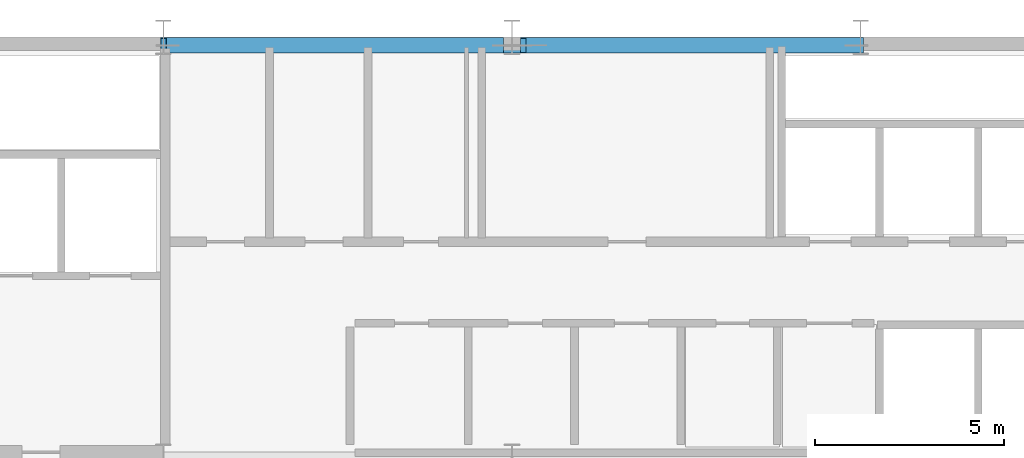
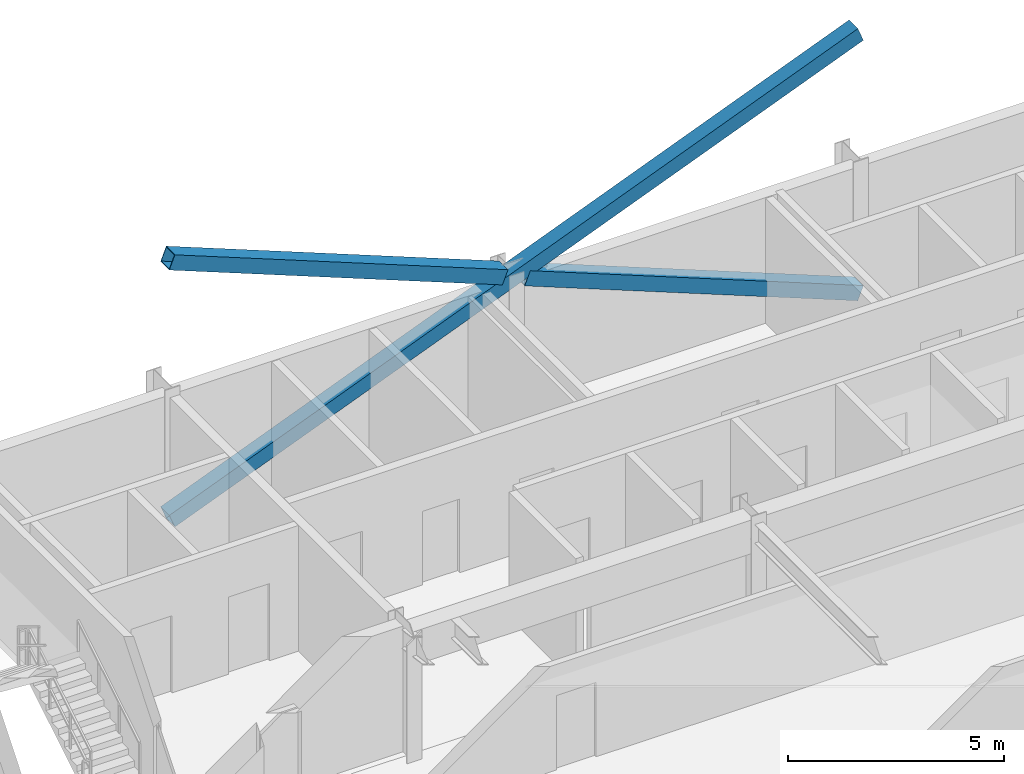
# One storey, part 16 of 25: 3 members.
"""IFC4 building model written with IfcOpenShell, lengths in metres."""

from ifc_helpers import new_model, si_unit, direction, frame, origin, origin_2d, place, context, subcontext, project, spatial, hollow_rectangle, extrude, source, transform, mapped, material, material_profile, profile_set, type_object, type_shapes, element, save


model = new_model("IFC4")

# Units and contexts
model_context = context("Model", 3, precision=1e-05, world=origin(), true_north=direction((0.0, 1.0)))
body_context = subcontext(model_context, "Body", "Model", "MODEL_VIEW")
ifc_project = project(units=[si_unit("LENGTHUNIT", "METRE"), si_unit("AREAUNIT", "SQUARE_METRE"), si_unit("VOLUMEUNIT", "CUBIC_METRE"), si_unit("PLANEANGLEUNIT", "RADIAN"), si_unit("MASSUNIT", "GRAM", prefix="KILO")], contexts=[model_context])

# Site, building, storey
site_placement = place(None, origin())
site = spatial("IfcSite", under=ifc_project, at=site_placement, CompositionType="ELEMENT")
building_placement = place(site_placement, origin())
building = spatial("IfcBuilding", under=site, at=building_placement, Name="Varnel Quay Broadcast Tower", CompositionType="ELEMENT")
storey_placement = place(building_placement, frame((0.0, 0.0, 288.800048828125)))
storey = spatial("IfcBuildingStorey", under=building, at=storey_placement, Name="L72", CompositionType="ELEMENT", Elevation=288.800048828125)

# Members
ifc_material = material(Name="Structural Steel CSA G40.21 350W", Category="steel")
ifc_material_profile = material_profile(ifc_material, hollow_rectangle(XDim=0.406005859375, YDim=0.406005859375, WallThickness=0.01611328125, at=origin_2d()), Name="HSS406X406X16")
ifc_profile_set = profile_set([ifc_material_profile], Name="Structural Steel CSA G40.21 350W")
member_type = type_object("IfcMemberType", Name="Brace_HSS406X406X16", PredefinedType="BRACE", material=ifc_profile_set)
shared_shape_1 = source(origin(), body_context, "Body", "SweptSolid", [
    extrude(hollow_rectangle(XDim=0.406005859375, YDim=0.406005859375, WallThickness=0.01611328125, at=origin_2d()), origin(), (0.0, 0.0, 1.0), 19.798828125),
])
member_placement = place(storey_placement, frame((24.800048828125, 46.580078125, 0.02001953125), z_axis=(0.92934750727, 0.0, 0.369206189995), x_axis=(0.0, 1.0, 0.0)))
element("IfcMember", 1, at=member_placement, inside=storey, type_object=member_type, Name="Zone 5 Mega-Brace N-CT3 Continuous Diag A", PredefinedType="BRACE", context=body_context, shape_type="MappedRepresentation", body=[
    mapped(shared_shape_1, transform((0.0, 0.0, 0.0), x_axis=(1.0, 0.0, 0.0), y_axis=(0.0, 1.0, 0.0), z_axis=(0.0, 0.0, 1.0), scale=1.0)),
])
shared_shape_2 = source(origin(), body_context, "Body", "SweptSolid", [
    extrude(hollow_rectangle(XDim=0.406005859375, YDim=0.406005859375, WallThickness=0.01611328125, at=origin_2d()), origin(), (0.0, 0.0, 1.0), 9.57861328125),
])
type_shapes(member_type, [shared_shape_1, shared_shape_2])
for number, where, z_axis, x_axis, name in (
    (2, (43.199951171875, 46.580078125, 0.02001953125), (-0.929342501924, 0.0, 0.369218788955), (0.0, -1.0, 0.0), "Zone 5 Mega-Brace N-CT3 Split Diag B1"),
    (3, (33.701904296875, 46.580078125, 3.79345703125), (-0.929351247452, 0.0, 0.369196775255), (0.0, -1.0, 0.0), "Zone 5 Mega-Brace N-CT3 Split Diag B2"),
):
    element("IfcMember", number, at=place(storey_placement, frame(where, z_axis=z_axis, x_axis=x_axis)), inside=storey, type_object=member_type, Name=name, PredefinedType="BRACE", context=body_context, shape_type="MappedRepresentation", body=[
        mapped(shared_shape_2, transform((0.0, 0.0, 0.0), x_axis=(1.0, 0.0, 0.0), y_axis=(0.0, 1.0, 0.0), z_axis=(0.0, 0.0, 1.0), scale=1.0)),
    ])

save(model, "model.ifc")
